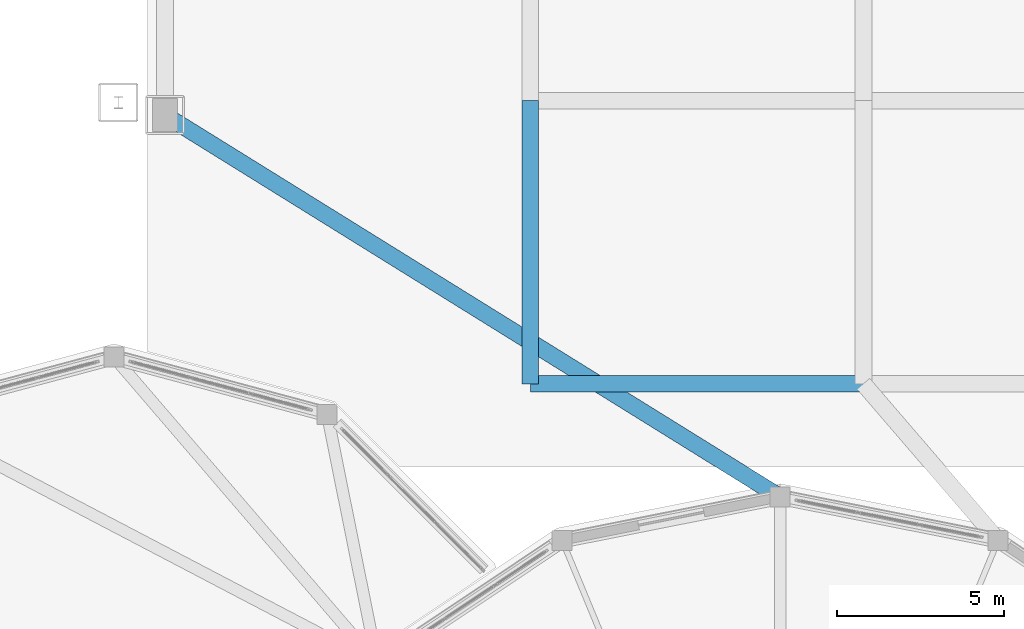
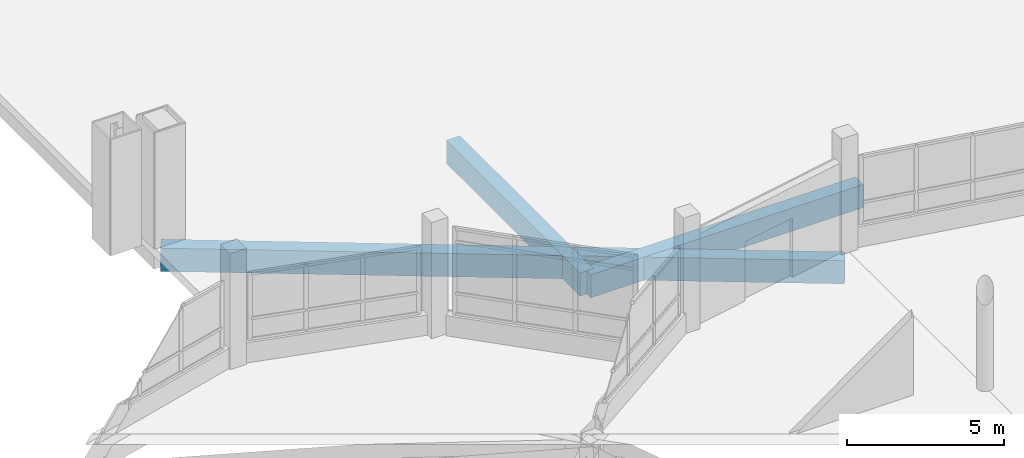
# One storey, part 82 of 129: 3 beams.
"""IFC4 building model written with IfcOpenShell, lengths in metres."""

from ifc_helpers import new_model, si_unit, direction, frame, origin, origin_2d, place, context, subcontext, project, spatial, rectangle, extrude, material, material_profile, profile_set, type_object, element, save


model = new_model("IFC4")

# Units and contexts
model_context = context("Model", 3, precision=1e-05, world=origin(), true_north=direction((0.0, 1.0)))
body_context = subcontext(model_context, "Body", "Model", "MODEL_VIEW")
ifc_project = project(units=[si_unit("LENGTHUNIT", "METRE"), si_unit("AREAUNIT", "SQUARE_METRE"), si_unit("VOLUMEUNIT", "CUBIC_METRE"), si_unit("PLANEANGLEUNIT", "RADIAN"), si_unit("MASSUNIT", "GRAM", prefix="KILO")], contexts=[model_context])

# Site, building, storey
site_placement = place(None, origin())
site = spatial("IfcSite", under=ifc_project, at=site_placement, CompositionType="ELEMENT")
building_placement = place(site_placement, origin())
building = spatial("IfcBuilding", under=site, at=building_placement, Name="Vespera Passage Community Centre", CompositionType="ELEMENT")
storey_placement = place(building_placement, origin())
storey = spatial("IfcBuildingStorey", under=building, at=storey_placement, Name="L00", CompositionType="ELEMENT", Elevation=0.0)

# Beams
ifc_material = material(Name="Concrete f'c 45 MPa", Category="concrete")
ifc_material_profile = material_profile(ifc_material, rectangle(XDim=0.5, YDim=0.89990234375, at=origin_2d()), Name="RC500X900")
ifc_profile_set = profile_set([ifc_material_profile], Name="Concrete f'c 45 MPa")
beam_type = type_object("IfcBeamType", Name="BM-G-500X900", PredefinedType="BEAM", material=ifc_profile_set)
beam_1_placement = place(storey_placement, frame((133.5, 45.5, -0.7900390625), z_axis=(0.0, 1.0, 0.0), x_axis=(-1.0, 0.0, 0.0)))
element("IfcBeam", 1, at=beam_1_placement, inside=storey, type_object=beam_type, Name="B1 Car Park Deck Girder GAR-C21-GAR-C22", PredefinedType="BEAM", context=body_context, shape_type="SweptSolid", body=[
    extrude(rectangle(XDim=0.5, YDim=0.89990234375, at=origin_2d()), origin(), (0.0, 0.0, 1.0), 8.5),
])
beam_2_placement = place(storey_placement, frame((133.5, 45.5, -0.7900390625), z_axis=(1.0, 0.0, 0.0), x_axis=(0.0, 1.0, 0.0)))
element("IfcBeam", 2, at=beam_2_placement, inside=storey, type_object=beam_type, Name="B1 Car Park Deck Girder GAR-C21-GAR-C31", PredefinedType="BEAM", context=body_context, shape_type="SweptSolid", body=[
    extrude(rectangle(XDim=0.5, YDim=0.89990234375, at=origin_2d()), origin(), (0.0, 0.0, 1.0), 10.0),
])
beam_3_placement = place(storey_placement, frame((122.529296875, 53.568359375, -0.7900390625), z_axis=(0.849564164393, -0.527485289444, 0.0), x_axis=(0.527485289444, 0.849564164393, 0.0)))
element("IfcBeam", 3, at=beam_3_placement, inside=storey, type_object=beam_type, Name="Subgrade Structural Tie Girder 6", PredefinedType="BEAM", context=body_context, shape_type="SweptSolid", body=[
    extrude(rectangle(XDim=0.5, YDim=0.89990234375, at=origin_2d()), origin(), (0.0, 0.0, 1.0), 21.741455078125),
])

save(model, "model.ifc")
